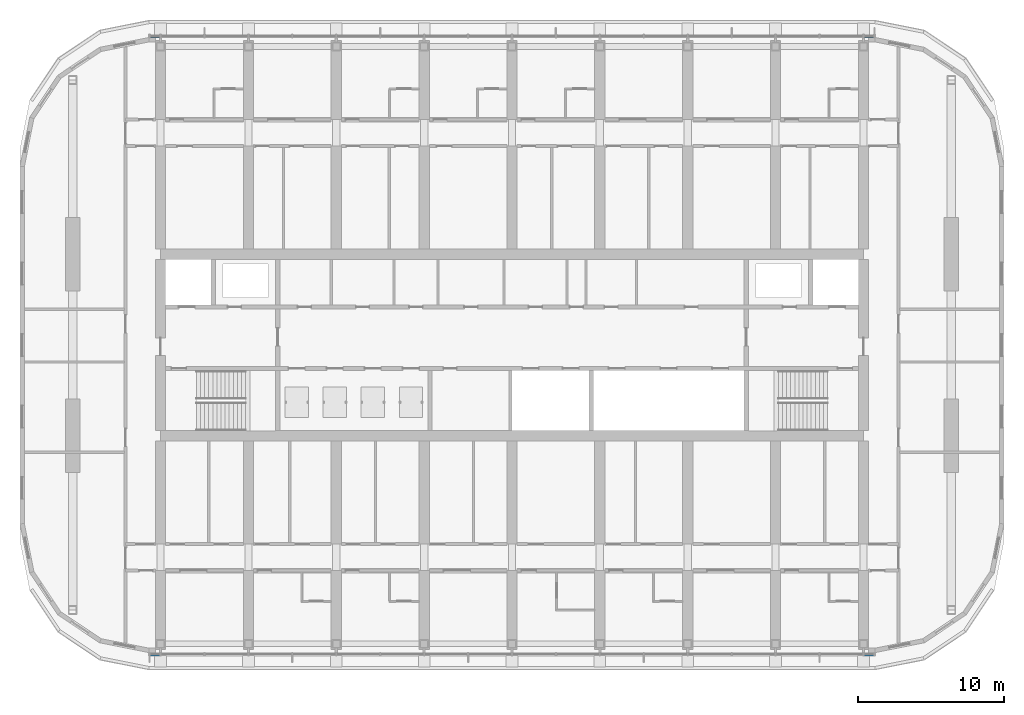
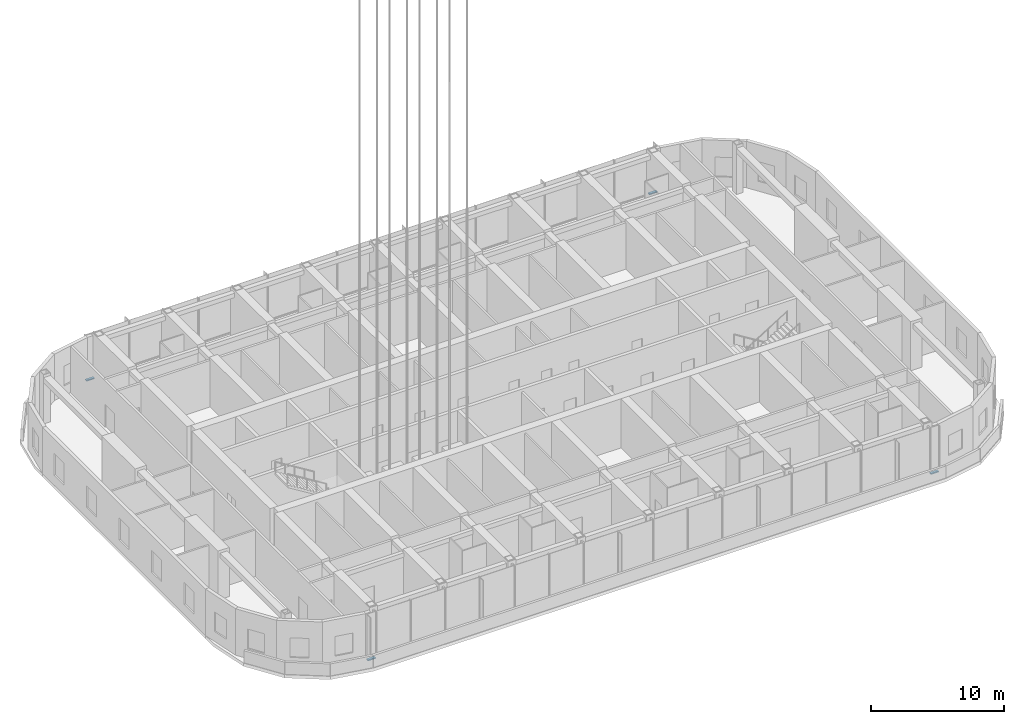
# One storey, part 6 of 35: 4 members, 2 elements without a shape of their own.
"""IFC4 building model written with IfcOpenShell, lengths in metres."""

from ifc_helpers import new_model, si_unit, direction, frame, origin, origin_2d, place, context, subcontext, project, spatial, rectangle, extrude, material, material_profile, profile_set, type_object, element, aggregate, save


model = new_model("IFC4")

# Units and contexts
model_context = context("Model", 3, precision=1e-05, world=origin(), true_north=direction((0.0, 1.0)))
body_context = subcontext(model_context, "Body", "Model", "MODEL_VIEW")
ifc_project = project(units=[si_unit("LENGTHUNIT", "METRE"), si_unit("AREAUNIT", "SQUARE_METRE"), si_unit("VOLUMEUNIT", "CUBIC_METRE"), si_unit("PLANEANGLEUNIT", "RADIAN"), si_unit("MASSUNIT", "GRAM", prefix="KILO")], contexts=[model_context])

# Site, building, storey
site_placement = place(None, origin())
site = spatial("IfcSite", under=ifc_project, at=site_placement, CompositionType="ELEMENT")
building_placement = place(site_placement, origin())
building = spatial("IfcBuilding", under=site, at=building_placement, Name="Orbita Commons", CompositionType="ELEMENT")
storey_placement = place(building_placement, frame((0.0, 0.0, 208.300048828125)))
storey = spatial("IfcBuildingStorey", under=building, at=storey_placement, Name="L51", CompositionType="ELEMENT", Elevation=208.300048828125)

# Curtain wall, members
ifc_material_1 = material(Name="Anodised aluminium frame, pale silver", Category="aluminium")
curtain_wall_type = type_object("IfcCurtainWallType", Name="Unitised curtain wall CW-S, full-height", PredefinedType="NOTDEFINED", material=ifc_material_1)
curtain_wall_1_placement = place(storey_placement, origin())
curtain_wall_1 = element("IfcCurtainWall", 1, at=curtain_wall_1_placement, inside=storey, type_object=curtain_wall_type, Name="Curtain wall south L51", PredefinedType="NOTDEFINED")
ifc_material_2 = material(Name="Anodised aluminium, pale silver", Category="aluminium")
ifc_material_profile = material_profile(ifc_material_2, rectangle(XDim=0.219970703125, YDim=0.10009765625, at=origin_2d()), Name="AL 220x100")
ifc_profile_set = profile_set([ifc_material_profile], Name="Anodised aluminium, pale silver")
member_type = type_object("IfcMemberType", Name="Curtain wall stack transom 220x100", PredefinedType="USERDEFINED", material=ifc_profile_set)
member_1_placement = place(storey_placement, frame((17.280029296875, 10.889892578125, 0.050048828125), z_axis=(1.0, 0.0, 0.0), x_axis=(0.0, 1.0, 0.0)))
member_1 = element("IfcMember", 2, at=member_1_placement, type_object=member_type, Name="Transom 1.1 CW-L51-S", ObjectType="TRANSOM", PredefinedType="USERDEFINED", context=body_context, shape_type="SweptSolid", body=[
    extrude(rectangle(XDim=0.219970703125, YDim=0.10009765625, at=origin_2d()), origin(), (0.0, 0.0, 1.0), 0.679931640625),
])
member_2_placement = place(storey_placement, frame((66.0400390625, 10.889892578125, 0.050048828125), z_axis=(1.0, 0.0, 0.0), x_axis=(0.0, 1.0, 0.0)))
member_2 = element("IfcMember", 3, at=member_2_placement, type_object=member_type, Name="Transom 18.1 CW-L51-S", ObjectType="TRANSOM", PredefinedType="USERDEFINED", context=body_context, shape_type="SweptSolid", body=[
    extrude(rectangle(XDim=0.219970703125, YDim=0.10009765625, at=origin_2d()), origin(), (0.0, 0.0, 1.0), 0.679931640625),
])
aggregate(curtain_wall_1, [member_1, member_2])

curtain_wall_2_placement = place(storey_placement, origin())
curtain_wall_2 = element("IfcCurtainWall", 4, at=curtain_wall_2_placement, inside=storey, type_object=curtain_wall_type, Name="Curtain wall north L51", PredefinedType="NOTDEFINED")
member_3_placement = place(storey_placement, frame((66.719970703125, 53.110107421875, 0.050048828125), z_axis=(-1.0, 0.0, 0.0), x_axis=(0.0, -1.0, 0.0)))
member_3 = element("IfcMember", 5, at=member_3_placement, type_object=member_type, Name="Transom 1.1 CW-L51-N", ObjectType="TRANSOM", PredefinedType="USERDEFINED", context=body_context, shape_type="SweptSolid", body=[
    extrude(rectangle(XDim=0.219970703125, YDim=0.10009765625, at=origin_2d()), origin(), (0.0, 0.0, 1.0), 0.679931640625),
])
member_4_placement = place(storey_placement, frame((17.9599609375, 53.110107421875, 0.050048828125), z_axis=(-1.0, 0.0, 0.0), x_axis=(0.0, -1.0, 0.0)))
member_4 = element("IfcMember", 6, at=member_4_placement, type_object=member_type, Name="Transom 18.1 CW-L51-N", ObjectType="TRANSOM", PredefinedType="USERDEFINED", context=body_context, shape_type="SweptSolid", body=[
    extrude(rectangle(XDim=0.219970703125, YDim=0.10009765625, at=origin_2d()), origin(), (0.0, 0.0, 1.0), 0.679931640625),
])
aggregate(curtain_wall_2, [member_3, member_4])

save(model, "model.ifc")
